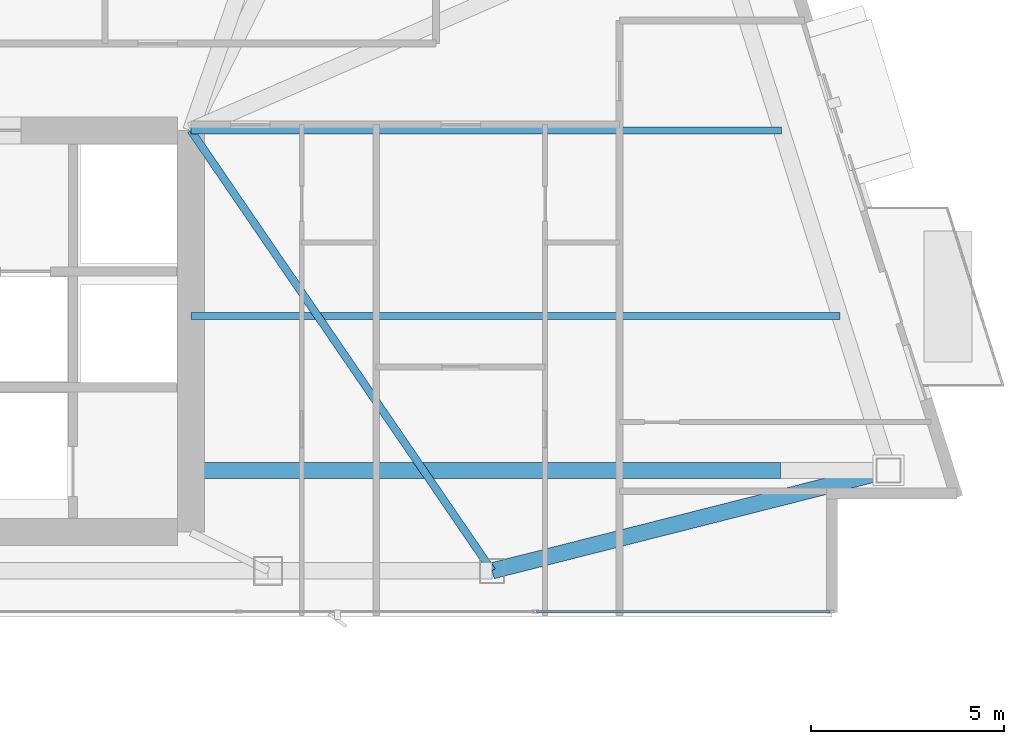
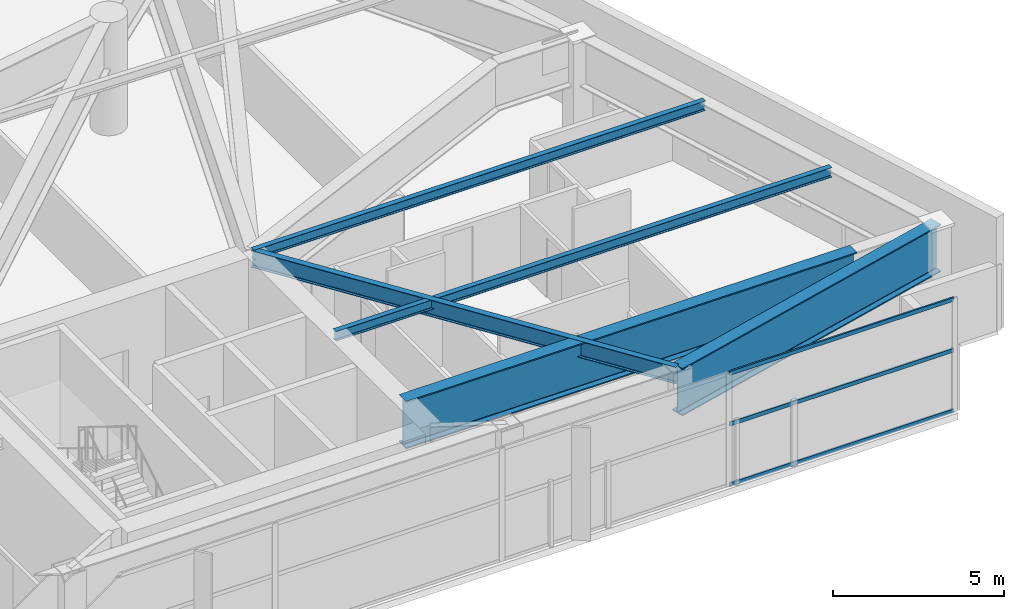
# One storey, part 13 of 29: 5 beams, 3 members, 1 element without a shape of its own.
"""IFC4 building model written with IfcOpenShell, lengths in metres."""

from ifc_helpers import new_model, si_unit, direction, frame, origin, origin_2d, place, context, subcontext, project, spatial, hollow_rectangle, i_section, extrude, material, layer, layer_set, material_profile, profile_set, type_object, element, aggregate, save


model = new_model("IFC4")

# Units and contexts
model_context = context("Model", 3, precision=1e-05, world=origin(), true_north=direction((0.0, 1.0)))
body_context = subcontext(model_context, "Body", "Model", "MODEL_VIEW")
ifc_project = project(units=[si_unit("LENGTHUNIT", "METRE"), si_unit("AREAUNIT", "SQUARE_METRE"), si_unit("VOLUMEUNIT", "CUBIC_METRE"), si_unit("PLANEANGLEUNIT", "RADIAN"), si_unit("MASSUNIT", "GRAM", prefix="KILO")], contexts=[model_context])

# Site, building, storey
site_placement = place(None, origin())
site = spatial("IfcSite", under=ifc_project, at=site_placement, CompositionType="ELEMENT")
building_placement = place(site_placement, origin())
building = spatial("IfcBuilding", under=site, at=building_placement, Name="Calvorn Quay Hotel", CompositionType="ELEMENT")
storey_placement = place(building_placement, frame((0.0, 0.0, 214.800048828125)))
storey = spatial("IfcBuildingStorey", under=building, at=storey_placement, Name="L53", CompositionType="ELEMENT", Elevation=214.800048828125)

# Beams
ifc_material_1 = material(Name="Steel Q355B", Category="steel")
ifc_material_profile_1 = material_profile(ifc_material_1, i_section(OverallWidth=0.199951171875, OverallDepth=0.60009765625, WebThickness=0.010986328125, FlangeThickness=0.01708984375, FilletRadius=0.01806640625, at=origin_2d()), Name="HN600x200x11x17")
ifc_profile_set_1 = profile_set([ifc_material_profile_1], Name="Steel Q355B")
beam_type_1 = type_object("IfcBeamType", Name="BM-GIRD-TYP", PredefinedType="BEAM", material=ifc_profile_set_1)
beam_1_placement = place(storey_placement, frame((40.199951171875, 3.60009765625, 3.75), z_axis=(-0.564689618177, 0.825303359452, 0.0), x_axis=(-0.825303359452, -0.564689618177, 0.0)))
element("IfcBeam", 1, at=beam_1_placement, inside=storey, type_object=beam_type_1, Name="Beam BG-L53-E6", PredefinedType="BEAM", context=body_context, shape_type="SweptSolid", body=[
    extrude(i_section(OverallWidth=0.199951171875, OverallDepth=0.60009765625, WebThickness=0.010986328125, FlangeThickness=0.01708984375, FilletRadius=0.01806640625, at=origin_2d()), origin(), (0.0, 0.0, 1.0), 13.81298828125),
])
ifc_material_2 = material(Name="Steel Q355B", Category="steel")
ifc_material_profile_2 = material_profile(ifc_material_2, i_section(OverallWidth=0.175048828125, OverallDepth=0.35009765625, WebThickness=0.007080078125, FlangeThickness=0.010986328125, FilletRadius=0.013916015625, at=origin_2d()), Name="HN350x175x7x11")
ifc_profile_set_2 = profile_set([ifc_material_profile_2], Name="Steel Q355B")
beam_type_2 = type_object("IfcBeamType", Name="BM-JOIST-SEC", PredefinedType="JOIST", material=ifc_profile_set_2)
beam_2_placement = place(storey_placement, frame((32.39990234375, 10.199951171875, 3.875), z_axis=(1.0, 0.0, 0.0), x_axis=(0.0, 1.0, 0.0)))
element("IfcBeam", 2, at=beam_2_placement, inside=storey, type_object=beam_type_2, Name="Beam BJ-L53-E1", PredefinedType="JOIST", context=body_context, shape_type="SweptSolid", body=[
    extrude(i_section(OverallWidth=0.175048828125, OverallDepth=0.35009765625, WebThickness=0.007080078125, FlangeThickness=0.010986328125, FilletRadius=0.013916015625, at=origin_2d()), origin(), (0.0, 0.0, 1.0), 16.801025390625),
])
beam_3_placement = place(storey_placement, frame((32.39990234375, 15.0, 3.875), z_axis=(1.0, 0.0, 0.0), x_axis=(0.0, 1.0, 0.0)))
element("IfcBeam", 3, at=beam_3_placement, inside=storey, type_object=beam_type_2, Name="Beam BJ-L53-E2", PredefinedType="JOIST", context=body_context, shape_type="SweptSolid", body=[
    extrude(i_section(OverallWidth=0.175048828125, OverallDepth=0.35009765625, WebThickness=0.007080078125, FlangeThickness=0.010986328125, FilletRadius=0.013916015625, at=origin_2d()), origin(), (0.0, 0.0, 1.0), 15.2880859375),
])
ifc_material_3 = material(Name="Steel Q420GJC", Category="steel")
ifc_material_profile_3 = material_profile(ifc_material_3, i_section(OverallWidth=0.419921875, OverallDepth=1.699951171875, WebThickness=0.02392578125, FlangeThickness=0.0419921875, FilletRadius=0.02392578125, at=origin_2d()), Name="HN1700x420x24x42")
ifc_profile_set_3 = profile_set([ifc_material_profile_3], Name="Steel Q420GJC")
beam_type_3 = type_object("IfcBeamType", Name="BM-XFER-SAWTOOTH", PredefinedType="BEAM", material=ifc_profile_set_3)
beam_4_placement = place(storey_placement, frame((32.39990234375, 6.199951171875, 3.199951171875), z_axis=(1.0, 0.0, 0.0), x_axis=(0.0, 1.0, 0.0)))
element("IfcBeam", 4, at=beam_4_placement, inside=storey, type_object=beam_type_3, Name="Beam BTG-L53-C-ET1A", PredefinedType="BEAM", context=body_context, shape_type="SweptSolid", body=[
    extrude(i_section(OverallWidth=0.419921875, OverallDepth=1.699951171875, WebThickness=0.02392578125, FlangeThickness=0.0419921875, FilletRadius=0.02392578125, at=origin_2d()), origin(), (0.0, 0.0, 1.0), 15.260986328125),
])
beam_5_placement = place(storey_placement, frame((40.199951171875, 3.60009765625, 3.199951171875), z_axis=(0.969368358966, 0.245611450537, 0.0), x_axis=(-0.245611450537, 0.969368358966, 0.0)))
element("IfcBeam", 5, at=beam_5_placement, inside=storey, type_object=beam_type_3, Name="Beam BSP-L53-S5", PredefinedType="BEAM", context=body_context, shape_type="SweptSolid", body=[
    extrude(i_section(OverallWidth=0.419921875, OverallDepth=1.699951171875, WebThickness=0.02392578125, FlangeThickness=0.0419921875, FilletRadius=0.02392578125, at=origin_2d()), origin(), (0.0, 0.0, 1.0), 10.585205078125),
])

# Curtain wall, members
ifc_material_4 = material(Name="Champagne Bronze Anodised Aluminium and Low-E Glass", Category="aluminium")
ifc_layer = layer(ifc_material_4, 0.219970703125)
ifc_layer_set = layer_set([ifc_layer], Name="CW-SYS-Z3")
curtain_wall_type = type_object("IfcCurtainWallType", Name="CW-SYS-Z3", PredefinedType="NOTDEFINED", material=ifc_layer_set)
curtain_wall_placement = place(storey_placement, origin())
curtain_wall = element("IfcCurtainWall", 6, at=curtain_wall_placement, inside=storey, type_object=curtain_wall_type, Name="Tower South Waterfront Curtain Wall (L53)", PredefinedType="NOTDEFINED")
ifc_material_5 = material(Name="Champagne Bronze Anodised Aluminium 6063-T6", Category="aluminium")
ifc_material_profile_4 = material_profile(ifc_material_5, hollow_rectangle(XDim=0.05810546875, YDim=0.139892578125, WallThickness=0.003173828125, at=origin_2d()), Name="ALU-T140x58x3.2")
ifc_profile_set_4 = profile_set([ifc_material_profile_4], Name="Champagne Bronze Anodised Aluminium 6063-T6")
member_type = type_object("IfcMemberType", Name="CW-SYS-Z3-TRN", PredefinedType="USERDEFINED", material=ifc_profile_set_4)
member_1_placement = place(storey_placement, frame((41.35009765625, 2.550048828125, 0.030029296875), z_axis=(1.0, 0.0, 0.0), x_axis=(0.0, 1.0, 0.0)))
member_1 = element("IfcMember", 7, at=member_1_placement, type_object=member_type, Name="CW-L53-S transom 5.1", ObjectType="TRANSOM", PredefinedType="USERDEFINED", context=body_context, shape_type="SweptSolid", body=[
    extrude(hollow_rectangle(XDim=0.05810546875, YDim=0.139892578125, WallThickness=0.003173828125, at=origin_2d()), origin(), (0.0, 0.0, 1.0), 7.58984375),
])
member_2_placement = place(storey_placement, frame((41.35009765625, 2.550048828125, 2.199951171875), z_axis=(1.0, 0.0, 0.0), x_axis=(0.0, 1.0, 0.0)))
member_2 = element("IfcMember", 8, at=member_2_placement, type_object=member_type, Name="CW-L53-S transom 5.2", ObjectType="TRANSOM", PredefinedType="USERDEFINED", context=body_context, shape_type="SweptSolid", body=[
    extrude(hollow_rectangle(XDim=0.05810546875, YDim=0.139892578125, WallThickness=0.003173828125, at=origin_2d()), origin(), (0.0, 0.0, 1.0), 7.58984375),
])
member_3_placement = place(storey_placement, frame((41.35009765625, 2.550048828125, 4.02001953125), z_axis=(1.0, 0.0, 0.0), x_axis=(0.0, 1.0, 0.0)))
member_3 = element("IfcMember", 9, at=member_3_placement, type_object=member_type, Name="CW-L53-S transom 5.3", ObjectType="TRANSOM", PredefinedType="USERDEFINED", context=body_context, shape_type="SweptSolid", body=[
    extrude(hollow_rectangle(XDim=0.05810546875, YDim=0.139892578125, WallThickness=0.003173828125, at=origin_2d()), origin(), (0.0, 0.0, 1.0), 7.58984375),
])
aggregate(curtain_wall, [member_1, member_2, member_3])

save(model, "model.ifc")
